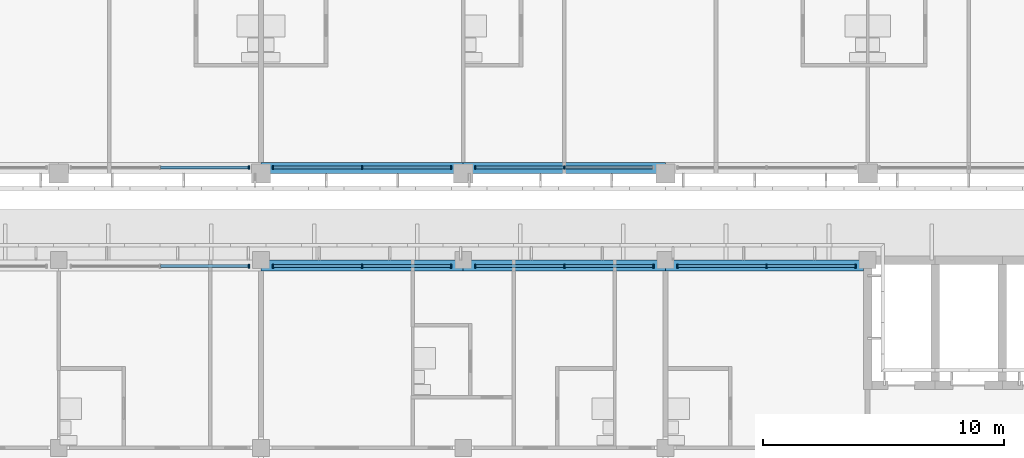
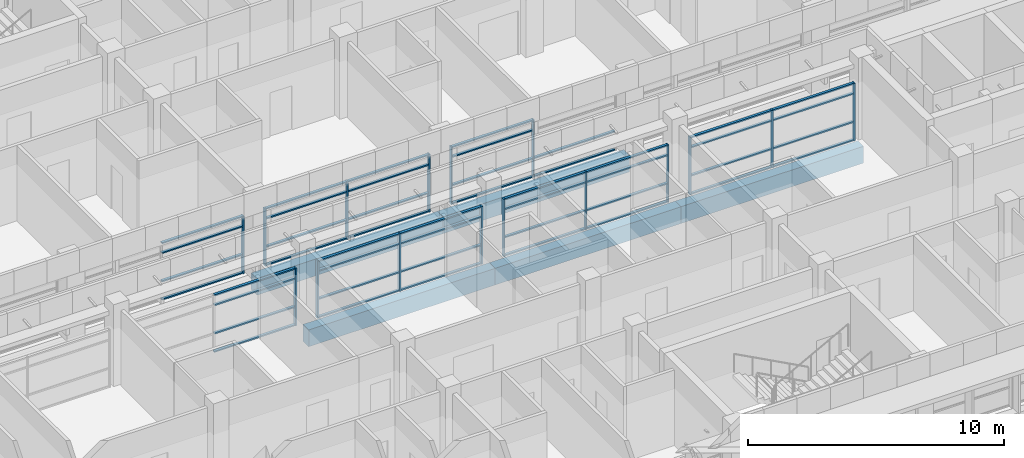
# One storey, part 12 of 71: 62 members, 5 beams, 7 elements without a shape of their own.
"""IFC4 building model written with IfcOpenShell, lengths in metres."""

import ifcopenshell
import ifcopenshell.guid

model = None  # the IFC model being written
_history = None  # IfcOwnerHistory: only IFC2X3 demands one
_inside = {}  # id of a spatial element -> (the spatial element, [elements in it])
_under = {}  # id of a project, library or spatial element -> (it, [spatial elements below it])
_declared = {}  # id of a project -> (the project, [libraries it declares])
_typed = {}  # id of a type object -> (the type object, [elements of that type])
_made_of = {}  # id of a material, layer set ... -> (it, [elements and type objects made of it])


def new_model(schema):
    """Start an empty IFC model of exactly this schema.

    Asked for "IFC4X3", IfcOpenShell would pick the latest addendum, in which some entities
    have other attributes; the version numbers below select the first issue.
    IFC2X3 requires an IfcOwnerHistory on every rooted entity: one is made here for all.
    """
    global model, _history
    if schema == "IFC4X3":
        model = ifcopenshell.file(schema_version=(4, 3, 0, 0))
    else:
        model = ifcopenshell.file(schema=schema)
    _inside.clear()
    _under.clear()
    _declared.clear()
    _typed.clear()
    _made_of.clear()
    _history = None
    if model.schema == "IFC2X3":
        org = make("IfcOrganization", Name="unknown")
        user = make(
            "IfcPersonAndOrganization",
            ThePerson=make("IfcPerson", FamilyName="unknown"),
            TheOrganization=org,
        )
        app = make(
            "IfcApplication",
            ApplicationDeveloper=org,
            Version="unknown",
            ApplicationFullName="unknown",
            ApplicationIdentifier="unknown",
        )
        _history = make(
            "IfcOwnerHistory",
            OwningUser=user,
            OwningApplication=app,
            ChangeAction="ADDED",
            CreationDate=0,
        )
    return model


def make(cls, **values):
    """One entity of the class cls with the attributes given. An attribute that is None is left unset."""
    return model.create_entity(
        cls, **{name: value for name, value in values.items() if value is not None}
    )


def rooted(cls, **values):
    """An entity with a GlobalId (a new one), such as an element, a storey or a relation."""
    return make(cls, GlobalId=ifcopenshell.guid.new(), OwnerHistory=_history, **values)


def si_unit(unit_type, name, prefix=None):
    """IfcSIUnit, for example si_unit("LENGTHUNIT", "METRE", prefix="MILLI")."""
    return make("IfcSIUnit", UnitType=unit_type, Prefix=prefix, Name=name)


def assignment(units):
    """IfcUnitAssignment: the units of a project."""
    return None if units is None else make("IfcUnitAssignment", Units=units)


def point(xyz):
    """IfcCartesianPoint."""
    return None if xyz is None else make("IfcCartesianPoint", Coordinates=xyz)


def direction(xyz):
    """IfcDirection."""
    return None if xyz is None else make("IfcDirection", DirectionRatios=xyz)


def frame(location, z_axis=None, x_axis=None):
    """IfcAxis2Placement3D, a coordinate frame: its origin and axes. An axis left out is left unset."""
    return make(
        "IfcAxis2Placement3D",
        Location=point(location),
        Axis=direction(z_axis),
        RefDirection=direction(x_axis),
    )


def frame_2d(location, x_axis=None):
    """IfcAxis2Placement2D, a coordinate frame in the plane: its origin and x axis."""
    return make(
        "IfcAxis2Placement2D", Location=point(location), RefDirection=direction(x_axis)
    )


def origin():
    """The frame at (0, 0, 0) with its axes left unset."""
    return frame((0.0, 0.0, 0.0))


def origin_2d():
    """The frame at (0, 0) in the plane with its x axis left unset."""
    return frame_2d((0.0, 0.0))


def place(relative_to, where):
    """IfcLocalPlacement: puts the frame where relative to a parent placement (None: the world)."""
    return make(
        "IfcLocalPlacement", PlacementRelTo=relative_to, RelativePlacement=where
    )


def context(
    kind, dimensions, precision=None, world=None, true_north=None, identifier=None
):
    """IfcGeometricRepresentationContext, for example the 3D "Model" context."""
    return make(
        "IfcGeometricRepresentationContext",
        ContextIdentifier=identifier,
        ContextType=kind,
        CoordinateSpaceDimension=dimensions,
        Precision=precision,
        WorldCoordinateSystem=world,
        TrueNorth=true_north,
    )


def subcontext(parent, identifier, kind, view, scale=None):
    """IfcGeometricRepresentationSubContext, for example "Body" below "Model"."""
    return make(
        "IfcGeometricRepresentationSubContext",
        ContextIdentifier=identifier,
        ContextType=kind,
        ParentContext=parent,
        TargetScale=scale,
        TargetView=view,
    )


def project(units=None, contexts=None):
    """IfcProject with its units and contexts."""
    return rooted(
        "IfcProject",
        Name="project",
        RepresentationContexts=contexts,
        UnitsInContext=assignment(units),
    )


def spatial(cls, under=None, at=None, **own):
    """A site, building, storey or space (cls), placed at a placement, below another one or the project."""
    s = rooted(cls, ObjectPlacement=at, **own)
    if under is not None:
        _under.setdefault(under.id(), (under, []))[1].append(s)
    return s


def profile(cls, at=None, kind="AREA", **sizes):
    """A parametric profile (cls). Its sizes go by their IFC names, for example OverallWidth=200.0."""
    return make(cls, ProfileType=kind, Position=at, **sizes)


def rectangle(**sizes):
    """IfcRectangleProfileDef."""
    return profile("IfcRectangleProfileDef", **sizes)


def extrude(swept, where, along, depth):
    """IfcExtrudedAreaSolid: the profile swept, set in the frame where, extruded along a direction by depth."""
    return make(
        "IfcExtrudedAreaSolid",
        SweptArea=swept,
        Position=where,
        ExtrudedDirection=direction(along),
        Depth=depth,
    )


def shape(context_of_items, identifier, shape_type, items):
    """IfcShapeRepresentation: the items that make up one representation, for example the "Body"."""
    return make(
        "IfcShapeRepresentation",
        ContextOfItems=context_of_items,
        RepresentationIdentifier=identifier,
        RepresentationType=shape_type,
        Items=items,
    )


def material(Name=None, Category=None):
    """IfcMaterial."""
    return make("IfcMaterial", Name=Name, Category=Category)


def material_profile(
    of_material, cross_section, Name=None, Category=None, Priority=None
):
    """IfcMaterialProfile: a cross section and its material."""
    return make(
        "IfcMaterialProfile",
        Name=Name,
        Material=of_material,
        Profile=cross_section,
        Priority=Priority,
        Category=Category,
    )


def profile_set(profiles, Name=None, composite=None):
    """IfcMaterialProfileSet."""
    return make(
        "IfcMaterialProfileSet",
        Name=Name,
        MaterialProfiles=profiles,
        CompositeProfile=composite,
    )


def made_of(thing, what):
    """Note that an element or type object is made of a material, layer set ...; save() writes the relation."""
    if what is not None:
        _made_of.setdefault(what.id(), (what, []))[1].append(thing)
    return thing


def type_object(cls, material=None, **own):
    """A type object (cls), such as IfcWallType, which elements share."""
    return made_of(rooted(cls, **own), material)


def element(
    cls,
    number,
    at=None,
    inside=None,
    cuts=None,
    type_object=None,
    material=None,
    context=None,
    identifier="Body",
    shape_type=None,
    held_by="IfcProductDefinitionShape",
    body=None,
    shapes=None,
    **own,
):
    """One element of the class cls, such as IfcWall. Its Tag is "e" and its number.

    at: its placement. inside: the storey or other place that contains it. cuts: it is an
    opening in that element (IfcRelVoidsElement). A single representation is given by context,
    identifier, shape_type and body (its items); several are given by shapes. held_by: the class
    of the entity that holds the representations. save() writes the other relations.
    """
    e = rooted(cls, Tag="e%d" % number, ObjectPlacement=at, **own)
    if body is not None:
        shapes = [shape(context, identifier, shape_type, body)]
    if shapes is not None:
        e.Representation = make(held_by, Representations=shapes)
    if inside is not None:
        _inside.setdefault(inside.id(), (inside, []))[1].append(e)
    if cuts is not None:
        rooted(
            "IfcRelVoidsElement", RelatingBuildingElement=cuts, RelatedOpeningElement=e
        )
    if type_object is not None:
        _typed.setdefault(type_object.id(), (type_object, []))[1].append(e)
    return made_of(e, material)


def aggregate(whole, parts):
    """IfcRelAggregates: a whole, such as a stair, and the parts it consists of."""
    return rooted("IfcRelAggregates", RelatingObject=whole, RelatedObjects=parts)


def save(model, path):
    """Write the relations noted so far, then the file.

    IfcRelAggregates (storeys below a building ...), IfcRelContainedInSpatialStructure (elements
    in a storey), IfcRelDefinesByType, IfcRelAssociatesMaterial and IfcRelDeclares: one each for
    every whole, place, type object, material and project.
    """
    for whole, parts in _under.values():
        aggregate(whole, parts)
    for where, things in _inside.values():
        rooted(
            "IfcRelContainedInSpatialStructure",
            RelatedElements=things,
            RelatingStructure=where,
        )
    for kind, things in _typed.values():
        rooted("IfcRelDefinesByType", RelatedObjects=things, RelatingType=kind)
    for what, things in _made_of.values():
        rooted("IfcRelAssociatesMaterial", RelatedObjects=things, RelatingMaterial=what)
    for by, libraries in _declared.values():
        rooted("IfcRelDeclares", RelatingContext=by, RelatedDefinitions=libraries)
    model.write(path)


model = new_model("IFC4")

# Units and contexts
model_context = context("Model", 3, precision=1e-05, world=origin(), true_north=direction((0.0, 1.0)))
body_context = subcontext(model_context, "Body", "Model", "MODEL_VIEW")
ifc_project = project(units=[si_unit("LENGTHUNIT", "METRE"), si_unit("AREAUNIT", "SQUARE_METRE"), si_unit("VOLUMEUNIT", "CUBIC_METRE"), si_unit("PLANEANGLEUNIT", "RADIAN"), si_unit("MASSUNIT", "GRAM", prefix="KILO")], contexts=[model_context])

# Site, building, storey
site_placement = place(None, origin())
site = spatial("IfcSite", under=ifc_project, at=site_placement, CompositionType="ELEMENT")
building_placement = place(site_placement, origin())
building = spatial("IfcBuilding", under=site, at=building_placement, Name="Bougainvillea Quay General Hospital", CompositionType="ELEMENT")
storey_placement = place(building_placement, frame((0.0, 0.0, 24.89990234375)))
storey = spatial("IfcBuildingStorey", under=building, at=storey_placement, Name="L05", CompositionType="ELEMENT", Elevation=24.89990234375)

# Curtain wall, member
ifc_material_1 = material(Name="Aluminium curtain wall system, powder-coated glazed", Category="aluminium")
curtain_wall_type = type_object("IfcCurtainWallType", Name="Unitised curtain wall CW-3730", PredefinedType="NOTDEFINED", material=ifc_material_1)
curtain_wall_1_placement = place(storey_placement, origin())
curtain_wall_1 = element("IfcCurtainWall", 1, at=curtain_wall_1_placement, inside=storey, type_object=curtain_wall_type, Name="CW-4200 03", PredefinedType="NOTDEFINED")
ifc_material_2 = material(Name="Aluminium mullion, powder-coated charcoal", Category="aluminium")
ifc_material_profile_1 = material_profile(ifc_material_2, rectangle(XDim=0.159912109375, YDim=0.06005859375, at=origin_2d()))
ifc_profile_set_1 = profile_set([ifc_material_profile_1], Name="Aluminium mullion, powder-coated charcoal")
member_type_1 = type_object("IfcMemberType", Name="Curtain wall mullion 160x60", PredefinedType="MULLION", material=ifc_profile_set_1)
member_1_placement = place(storey_placement, frame((108.699951171875, 140.64990234375, 0.0), z_axis=(0.0, 0.0, 1.0), x_axis=(0.0, 1.0, 0.0)))
member_1 = element("IfcMember", 2, at=member_1_placement, type_object=member_type_1, Name="CW-4200 mullion 3", PredefinedType="MULLION", context=body_context, shape_type="SweptSolid", body=[
    extrude(rectangle(XDim=0.159912109375, YDim=0.06005859375, at=origin_2d()), origin(), (0.0, 0.0, 1.0), 2.75),
])

# Curtain wall, members
curtain_wall_2_placement = place(storey_placement, origin())
curtain_wall_2 = element("IfcCurtainWall", 3, at=curtain_wall_2_placement, inside=storey, type_object=curtain_wall_type, Name="CW-4200 04", PredefinedType="NOTDEFINED")
member_2_placement = place(storey_placement, frame((109.699951171875, 140.64990234375, 0.0), z_axis=(0.0, 0.0, 1.0), x_axis=(0.0, 1.0, 0.0)))
member_2 = element("IfcMember", 4, at=member_2_placement, type_object=member_type_1, Name="CW-4200 mullion 1", PredefinedType="MULLION", context=body_context, shape_type="SweptSolid", body=[
    extrude(rectangle(XDim=0.159912109375, YDim=0.06005859375, at=origin_2d()), origin(), (0.0, 0.0, 1.0), 2.75),
])
member_3_placement = place(storey_placement, frame((113.39990234375, 140.64990234375, 0.0), z_axis=(0.0, 0.0, 1.0), x_axis=(0.0, 1.0, 0.0)))
member_3 = element("IfcMember", 5, at=member_3_placement, type_object=member_type_1, Name="CW-4200 mullion 2", PredefinedType="MULLION", context=body_context, shape_type="SweptSolid", body=[
    extrude(rectangle(XDim=0.159912109375, YDim=0.06005859375, at=origin_2d()), origin(), (0.0, 0.0, 1.0), 2.75),
])
member_4_placement = place(storey_placement, frame((117.10009765625, 140.64990234375, 0.0), z_axis=(0.0, 0.0, 1.0), x_axis=(0.0, 1.0, 0.0)))
member_4 = element("IfcMember", 6, at=member_4_placement, type_object=member_type_1, Name="CW-4200 mullion 3", PredefinedType="MULLION", context=body_context, shape_type="SweptSolid", body=[
    extrude(rectangle(XDim=0.159912109375, YDim=0.06005859375, at=origin_2d()), origin(), (0.0, 0.0, 1.0), 2.75),
])

curtain_wall_3_placement = place(storey_placement, origin())
curtain_wall_3 = element("IfcCurtainWall", 7, at=curtain_wall_3_placement, inside=storey, type_object=curtain_wall_type, Name="CW-4200 05", PredefinedType="NOTDEFINED")
member_5_placement = place(storey_placement, frame((118.10009765625, 140.64990234375, 0.0), z_axis=(0.0, 0.0, 1.0), x_axis=(0.0, 1.0, 0.0)))
member_5 = element("IfcMember", 8, at=member_5_placement, type_object=member_type_1, Name="CW-4200 mullion 1", PredefinedType="MULLION", context=body_context, shape_type="SweptSolid", body=[
    extrude(rectangle(XDim=0.159912109375, YDim=0.06005859375, at=origin_2d()), origin(), (0.0, 0.0, 1.0), 2.75),
])
member_6_placement = place(storey_placement, frame((121.800048828125, 140.64990234375, 0.0), z_axis=(0.0, 0.0, 1.0), x_axis=(0.0, 1.0, 0.0)))
member_6 = element("IfcMember", 9, at=member_6_placement, type_object=member_type_1, Name="CW-4200 mullion 2", PredefinedType="MULLION", context=body_context, shape_type="SweptSolid", body=[
    extrude(rectangle(XDim=0.159912109375, YDim=0.06005859375, at=origin_2d()), origin(), (0.0, 0.0, 1.0), 2.75),
])

curtain_wall_4_placement = place(storey_placement, origin())
curtain_wall_4 = element("IfcCurtainWall", 10, at=curtain_wall_4_placement, inside=storey, type_object=curtain_wall_type, Name="CW-4200 00", PredefinedType="NOTDEFINED")
member_7_placement = place(storey_placement, frame((133.89990234375, 136.550048828125, 0.0), z_axis=(0.0, 0.0, 1.0), x_axis=(0.0, -1.0, 0.0)))
member_7 = element("IfcMember", 11, at=member_7_placement, type_object=member_type_1, Name="CW-4200 mullion 1", PredefinedType="MULLION", context=body_context, shape_type="SweptSolid", body=[
    extrude(rectangle(XDim=0.159912109375, YDim=0.06005859375, at=origin_2d()), origin(), (0.0, 0.0, 1.0), 2.75),
])
member_8_placement = place(storey_placement, frame((130.199951171875, 136.550048828125, 0.0), z_axis=(0.0, 0.0, 1.0), x_axis=(0.0, -1.0, 0.0)))
member_8 = element("IfcMember", 12, at=member_8_placement, type_object=member_type_1, Name="CW-4200 mullion 2", PredefinedType="MULLION", context=body_context, shape_type="SweptSolid", body=[
    extrude(rectangle(XDim=0.159912109375, YDim=0.06005859375, at=origin_2d()), origin(), (0.0, 0.0, 1.0), 2.75),
])
member_9_placement = place(storey_placement, frame((126.5, 136.550048828125, 0.0), z_axis=(0.0, 0.0, 1.0), x_axis=(0.0, -1.0, 0.0)))
member_9 = element("IfcMember", 13, at=member_9_placement, type_object=member_type_1, Name="CW-4200 mullion 3", PredefinedType="MULLION", context=body_context, shape_type="SweptSolid", body=[
    extrude(rectangle(XDim=0.159912109375, YDim=0.06005859375, at=origin_2d()), origin(), (0.0, 0.0, 1.0), 2.75),
])

curtain_wall_5_placement = place(storey_placement, origin())
curtain_wall_5 = element("IfcCurtainWall", 14, at=curtain_wall_5_placement, inside=storey, type_object=curtain_wall_type, Name="CW-4200 01", PredefinedType="NOTDEFINED")
member_10_placement = place(storey_placement, frame((125.5, 136.550048828125, 0.0), z_axis=(0.0, 0.0, 1.0), x_axis=(0.0, -1.0, 0.0)))
member_10 = element("IfcMember", 15, at=member_10_placement, type_object=member_type_1, Name="CW-4200 mullion 1", PredefinedType="MULLION", context=body_context, shape_type="SweptSolid", body=[
    extrude(rectangle(XDim=0.159912109375, YDim=0.06005859375, at=origin_2d()), origin(), (0.0, 0.0, 1.0), 2.75),
])
member_11_placement = place(storey_placement, frame((121.800048828125, 136.550048828125, 0.0), z_axis=(0.0, 0.0, 1.0), x_axis=(0.0, -1.0, 0.0)))
member_11 = element("IfcMember", 16, at=member_11_placement, type_object=member_type_1, Name="CW-4200 mullion 2", PredefinedType="MULLION", context=body_context, shape_type="SweptSolid", body=[
    extrude(rectangle(XDim=0.159912109375, YDim=0.06005859375, at=origin_2d()), origin(), (0.0, 0.0, 1.0), 2.75),
])
member_12_placement = place(storey_placement, frame((118.10009765625, 136.550048828125, 0.0), z_axis=(0.0, 0.0, 1.0), x_axis=(0.0, -1.0, 0.0)))
member_12 = element("IfcMember", 17, at=member_12_placement, type_object=member_type_1, Name="CW-4200 mullion 3", PredefinedType="MULLION", context=body_context, shape_type="SweptSolid", body=[
    extrude(rectangle(XDim=0.159912109375, YDim=0.06005859375, at=origin_2d()), origin(), (0.0, 0.0, 1.0), 2.75),
])

curtain_wall_6_placement = place(storey_placement, origin())
curtain_wall_6 = element("IfcCurtainWall", 18, at=curtain_wall_6_placement, inside=storey, type_object=curtain_wall_type, Name="CW-4200 02", PredefinedType="NOTDEFINED")
member_13_placement = place(storey_placement, frame((117.10009765625, 136.550048828125, 0.0), z_axis=(0.0, 0.0, 1.0), x_axis=(0.0, -1.0, 0.0)))
member_13 = element("IfcMember", 19, at=member_13_placement, type_object=member_type_1, Name="CW-4200 mullion 1", PredefinedType="MULLION", context=body_context, shape_type="SweptSolid", body=[
    extrude(rectangle(XDim=0.159912109375, YDim=0.06005859375, at=origin_2d()), origin(), (0.0, 0.0, 1.0), 2.75),
])
member_14_placement = place(storey_placement, frame((113.39990234375, 136.550048828125, 0.0), z_axis=(0.0, 0.0, 1.0), x_axis=(0.0, -1.0, 0.0)))
member_14 = element("IfcMember", 20, at=member_14_placement, type_object=member_type_1, Name="CW-4200 mullion 2", PredefinedType="MULLION", context=body_context, shape_type="SweptSolid", body=[
    extrude(rectangle(XDim=0.159912109375, YDim=0.06005859375, at=origin_2d()), origin(), (0.0, 0.0, 1.0), 2.75),
])
member_15_placement = place(storey_placement, frame((109.699951171875, 136.550048828125, 0.0), z_axis=(0.0, 0.0, 1.0), x_axis=(0.0, -1.0, 0.0)))
member_15 = element("IfcMember", 21, at=member_15_placement, type_object=member_type_1, Name="CW-4200 mullion 3", PredefinedType="MULLION", context=body_context, shape_type="SweptSolid", body=[
    extrude(rectangle(XDim=0.159912109375, YDim=0.06005859375, at=origin_2d()), origin(), (0.0, 0.0, 1.0), 2.75),
])

# Curtain wall, member
curtain_wall_7_placement = place(storey_placement, origin())
curtain_wall_7 = element("IfcCurtainWall", 22, at=curtain_wall_7_placement, inside=storey, type_object=curtain_wall_type, Name="CW-4200 03", PredefinedType="NOTDEFINED")
member_16_placement = place(storey_placement, frame((108.699951171875, 136.550048828125, 0.0), z_axis=(0.0, 0.0, 1.0), x_axis=(0.0, -1.0, 0.0)))
member_16 = element("IfcMember", 23, at=member_16_placement, type_object=member_type_1, Name="CW-4200 mullion 1", PredefinedType="MULLION", context=body_context, shape_type="SweptSolid", body=[
    extrude(rectangle(XDim=0.159912109375, YDim=0.06005859375, at=origin_2d()), origin(), (0.0, 0.0, 1.0), 2.75),
])

# Member
ifc_material_3 = material(Name="Aluminium transom, powder-coated charcoal", Category="aluminium")
ifc_material_profile_2 = material_profile(ifc_material_3, rectangle(XDim=0.1201171875, YDim=0.06005859375, at=origin_2d()))
ifc_profile_set_2 = profile_set([ifc_material_profile_2], Name="Aluminium transom, powder-coated charcoal")
member_type_2 = type_object("IfcMemberType", Name="Curtain wall transom 120x60", PredefinedType="USERDEFINED", material=ifc_profile_set_2)
member_17_placement = place(storey_placement, frame((105.030029296875, 140.64990234375, 0.030029296875), z_axis=(1.0, 0.0, 0.0), x_axis=(0.0, 1.0, 0.0)))
member_17 = element("IfcMember", 24, at=member_17_placement, type_object=member_type_2, Name="CW-4200 transom 2.1", ObjectType="TRANSOM", PredefinedType="USERDEFINED", context=body_context, shape_type="SweptSolid", body=[
    extrude(rectangle(XDim=0.1201171875, YDim=0.06005859375, at=origin_2d()), origin(), (0.0, 0.0, 1.0), 3.639892578125),
])

member_18_placement = place(storey_placement, frame((105.030029296875, 140.64990234375, 0.900146484375), z_axis=(1.0, 0.0, 0.0), x_axis=(0.0, 1.0, 0.0)))
member_18 = element("IfcMember", 25, at=member_18_placement, type_object=member_type_2, Name="CW-4200 transom 2.2", ObjectType="TRANSOM", PredefinedType="USERDEFINED", context=body_context, shape_type="SweptSolid", body=[
    extrude(rectangle(XDim=0.1201171875, YDim=0.06005859375, at=origin_2d()), origin(), (0.0, 0.0, 1.0), 3.639892578125),
])

member_19_placement = place(storey_placement, frame((105.030029296875, 140.64990234375, 2.25), z_axis=(1.0, 0.0, 0.0), x_axis=(0.0, 1.0, 0.0)))
member_19 = element("IfcMember", 26, at=member_19_placement, type_object=member_type_2, Name="CW-4200 transom 2.3", ObjectType="TRANSOM", PredefinedType="USERDEFINED", context=body_context, shape_type="SweptSolid", body=[
    extrude(rectangle(XDim=0.1201171875, YDim=0.06005859375, at=origin_2d()), origin(), (0.0, 0.0, 1.0), 3.639892578125),
])

member_20_placement = place(storey_placement, frame((105.030029296875, 140.64990234375, 2.72021484375), z_axis=(1.0, 0.0, 0.0), x_axis=(0.0, 1.0, 0.0)))
member_20 = element("IfcMember", 27, at=member_20_placement, type_object=member_type_2, Name="CW-4200 transom 2.4", ObjectType="TRANSOM", PredefinedType="USERDEFINED", context=body_context, shape_type="SweptSolid", body=[
    extrude(rectangle(XDim=0.1201171875, YDim=0.06005859375, at=origin_2d()), origin(), (0.0, 0.0, 1.0), 3.639892578125),
])

aggregate(curtain_wall_1, [member_1, member_17, member_18, member_19, member_20])

member_21_placement = place(storey_placement, frame((109.72998046875, 140.64990234375, 0.030029296875), z_axis=(1.0, 0.0, 0.0), x_axis=(0.0, 1.0, 0.0)))
member_21 = element("IfcMember", 28, at=member_21_placement, type_object=member_type_2, Name="CW-4200 transom 1.1", ObjectType="TRANSOM", PredefinedType="USERDEFINED", context=body_context, shape_type="SweptSolid", body=[
    extrude(rectangle(XDim=0.1201171875, YDim=0.06005859375, at=origin_2d()), origin(), (0.0, 0.0, 1.0), 3.64013671875),
])

member_22_placement = place(storey_placement, frame((109.72998046875, 140.64990234375, 0.900146484375), z_axis=(1.0, 0.0, 0.0), x_axis=(0.0, 1.0, 0.0)))
member_22 = element("IfcMember", 29, at=member_22_placement, type_object=member_type_2, Name="CW-4200 transom 1.2", ObjectType="TRANSOM", PredefinedType="USERDEFINED", context=body_context, shape_type="SweptSolid", body=[
    extrude(rectangle(XDim=0.1201171875, YDim=0.06005859375, at=origin_2d()), origin(), (0.0, 0.0, 1.0), 3.64013671875),
])

member_23_placement = place(storey_placement, frame((109.72998046875, 140.64990234375, 2.25), z_axis=(1.0, 0.0, 0.0), x_axis=(0.0, 1.0, 0.0)))
member_23 = element("IfcMember", 30, at=member_23_placement, type_object=member_type_2, Name="CW-4200 transom 1.3", ObjectType="TRANSOM", PredefinedType="USERDEFINED", context=body_context, shape_type="SweptSolid", body=[
    extrude(rectangle(XDim=0.1201171875, YDim=0.06005859375, at=origin_2d()), origin(), (0.0, 0.0, 1.0), 3.64013671875),
])

member_24_placement = place(storey_placement, frame((109.72998046875, 140.64990234375, 2.72021484375), z_axis=(1.0, 0.0, 0.0), x_axis=(0.0, 1.0, 0.0)))
member_24 = element("IfcMember", 31, at=member_24_placement, type_object=member_type_2, Name="CW-4200 transom 1.4", ObjectType="TRANSOM", PredefinedType="USERDEFINED", context=body_context, shape_type="SweptSolid", body=[
    extrude(rectangle(XDim=0.1201171875, YDim=0.06005859375, at=origin_2d()), origin(), (0.0, 0.0, 1.0), 3.64013671875),
])

member_25_placement = place(storey_placement, frame((113.429931640625, 140.64990234375, 0.030029296875), z_axis=(1.0, 0.0, 0.0), x_axis=(0.0, 1.0, 0.0)))
member_25 = element("IfcMember", 32, at=member_25_placement, type_object=member_type_2, Name="CW-4200 transom 2.1", ObjectType="TRANSOM", PredefinedType="USERDEFINED", context=body_context, shape_type="SweptSolid", body=[
    extrude(rectangle(XDim=0.1201171875, YDim=0.06005859375, at=origin_2d()), origin(), (0.0, 0.0, 1.0), 3.64013671875),
])

member_26_placement = place(storey_placement, frame((113.429931640625, 140.64990234375, 0.900146484375), z_axis=(1.0, 0.0, 0.0), x_axis=(0.0, 1.0, 0.0)))
member_26 = element("IfcMember", 33, at=member_26_placement, type_object=member_type_2, Name="CW-4200 transom 2.2", ObjectType="TRANSOM", PredefinedType="USERDEFINED", context=body_context, shape_type="SweptSolid", body=[
    extrude(rectangle(XDim=0.1201171875, YDim=0.06005859375, at=origin_2d()), origin(), (0.0, 0.0, 1.0), 3.64013671875),
])

member_27_placement = place(storey_placement, frame((113.429931640625, 140.64990234375, 2.25), z_axis=(1.0, 0.0, 0.0), x_axis=(0.0, 1.0, 0.0)))
member_27 = element("IfcMember", 34, at=member_27_placement, type_object=member_type_2, Name="CW-4200 transom 2.3", ObjectType="TRANSOM", PredefinedType="USERDEFINED", context=body_context, shape_type="SweptSolid", body=[
    extrude(rectangle(XDim=0.1201171875, YDim=0.06005859375, at=origin_2d()), origin(), (0.0, 0.0, 1.0), 3.64013671875),
])

member_28_placement = place(storey_placement, frame((113.429931640625, 140.64990234375, 2.72021484375), z_axis=(1.0, 0.0, 0.0), x_axis=(0.0, 1.0, 0.0)))
member_28 = element("IfcMember", 35, at=member_28_placement, type_object=member_type_2, Name="CW-4200 transom 2.4", ObjectType="TRANSOM", PredefinedType="USERDEFINED", context=body_context, shape_type="SweptSolid", body=[
    extrude(rectangle(XDim=0.1201171875, YDim=0.06005859375, at=origin_2d()), origin(), (0.0, 0.0, 1.0), 3.64013671875),
])

aggregate(curtain_wall_2, [member_2, member_3, member_4, member_21, member_22, member_23, member_24, member_25, member_26, member_27, member_28])

member_29_placement = place(storey_placement, frame((118.1298828125, 140.64990234375, 0.030029296875), z_axis=(1.0, 0.0, 0.0), x_axis=(0.0, 1.0, 0.0)))
member_29 = element("IfcMember", 36, at=member_29_placement, type_object=member_type_2, Name="CW-4200 transom 1.1", ObjectType="TRANSOM", PredefinedType="USERDEFINED", context=body_context, shape_type="SweptSolid", body=[
    extrude(rectangle(XDim=0.1201171875, YDim=0.06005859375, at=origin_2d()), origin(), (0.0, 0.0, 1.0), 3.64013671875),
])

member_30_placement = place(storey_placement, frame((118.1298828125, 140.64990234375, 0.900146484375), z_axis=(1.0, 0.0, 0.0), x_axis=(0.0, 1.0, 0.0)))
member_30 = element("IfcMember", 37, at=member_30_placement, type_object=member_type_2, Name="CW-4200 transom 1.2", ObjectType="TRANSOM", PredefinedType="USERDEFINED", context=body_context, shape_type="SweptSolid", body=[
    extrude(rectangle(XDim=0.1201171875, YDim=0.06005859375, at=origin_2d()), origin(), (0.0, 0.0, 1.0), 3.64013671875),
])

member_31_placement = place(storey_placement, frame((118.1298828125, 140.64990234375, 2.25), z_axis=(1.0, 0.0, 0.0), x_axis=(0.0, 1.0, 0.0)))
member_31 = element("IfcMember", 38, at=member_31_placement, type_object=member_type_2, Name="CW-4200 transom 1.3", ObjectType="TRANSOM", PredefinedType="USERDEFINED", context=body_context, shape_type="SweptSolid", body=[
    extrude(rectangle(XDim=0.1201171875, YDim=0.06005859375, at=origin_2d()), origin(), (0.0, 0.0, 1.0), 3.64013671875),
])

member_32_placement = place(storey_placement, frame((118.1298828125, 140.64990234375, 2.72021484375), z_axis=(1.0, 0.0, 0.0), x_axis=(0.0, 1.0, 0.0)))
member_32 = element("IfcMember", 39, at=member_32_placement, type_object=member_type_2, Name="CW-4200 transom 1.4", ObjectType="TRANSOM", PredefinedType="USERDEFINED", context=body_context, shape_type="SweptSolid", body=[
    extrude(rectangle(XDim=0.1201171875, YDim=0.06005859375, at=origin_2d()), origin(), (0.0, 0.0, 1.0), 3.64013671875),
])

member_33_placement = place(storey_placement, frame((121.830078125, 140.64990234375, 0.030029296875), z_axis=(1.0, 0.0, 0.0), x_axis=(0.0, 1.0, 0.0)))
member_33 = element("IfcMember", 40, at=member_33_placement, type_object=member_type_2, Name="CW-4200 transom 2.1", ObjectType="TRANSOM", PredefinedType="USERDEFINED", context=body_context, shape_type="SweptSolid", body=[
    extrude(rectangle(XDim=0.1201171875, YDim=0.06005859375, at=origin_2d()), origin(), (0.0, 0.0, 1.0), 3.639892578125),
])

member_34_placement = place(storey_placement, frame((121.830078125, 140.64990234375, 0.900146484375), z_axis=(1.0, 0.0, 0.0), x_axis=(0.0, 1.0, 0.0)))
member_34 = element("IfcMember", 41, at=member_34_placement, type_object=member_type_2, Name="CW-4200 transom 2.2", ObjectType="TRANSOM", PredefinedType="USERDEFINED", context=body_context, shape_type="SweptSolid", body=[
    extrude(rectangle(XDim=0.1201171875, YDim=0.06005859375, at=origin_2d()), origin(), (0.0, 0.0, 1.0), 3.639892578125),
])

aggregate(curtain_wall_3, [member_5, member_6, member_29, member_30, member_31, member_32, member_33, member_34])

member_35_placement = place(storey_placement, frame((133.8701171875, 136.550048828125, 0.030029296875), z_axis=(-1.0, 0.0, 0.0), x_axis=(0.0, -1.0, 0.0)))
member_35 = element("IfcMember", 42, at=member_35_placement, type_object=member_type_2, Name="CW-4200 transom 1.1", ObjectType="TRANSOM", PredefinedType="USERDEFINED", context=body_context, shape_type="SweptSolid", body=[
    extrude(rectangle(XDim=0.1201171875, YDim=0.06005859375, at=origin_2d()), origin(), (0.0, 0.0, 1.0), 3.64013671875),
])

member_36_placement = place(storey_placement, frame((133.8701171875, 136.550048828125, 0.900146484375), z_axis=(-1.0, 0.0, 0.0), x_axis=(0.0, -1.0, 0.0)))
member_36 = element("IfcMember", 43, at=member_36_placement, type_object=member_type_2, Name="CW-4200 transom 1.2", ObjectType="TRANSOM", PredefinedType="USERDEFINED", context=body_context, shape_type="SweptSolid", body=[
    extrude(rectangle(XDim=0.1201171875, YDim=0.06005859375, at=origin_2d()), origin(), (0.0, 0.0, 1.0), 3.64013671875),
])

member_37_placement = place(storey_placement, frame((133.8701171875, 136.550048828125, 2.25), z_axis=(-1.0, 0.0, 0.0), x_axis=(0.0, -1.0, 0.0)))
member_37 = element("IfcMember", 44, at=member_37_placement, type_object=member_type_2, Name="CW-4200 transom 1.3", ObjectType="TRANSOM", PredefinedType="USERDEFINED", context=body_context, shape_type="SweptSolid", body=[
    extrude(rectangle(XDim=0.1201171875, YDim=0.06005859375, at=origin_2d()), origin(), (0.0, 0.0, 1.0), 3.64013671875),
])

member_38_placement = place(storey_placement, frame((133.8701171875, 136.550048828125, 2.72021484375), z_axis=(-1.0, 0.0, 0.0), x_axis=(0.0, -1.0, 0.0)))
member_38 = element("IfcMember", 45, at=member_38_placement, type_object=member_type_2, Name="CW-4200 transom 1.4", ObjectType="TRANSOM", PredefinedType="USERDEFINED", context=body_context, shape_type="SweptSolid", body=[
    extrude(rectangle(XDim=0.1201171875, YDim=0.06005859375, at=origin_2d()), origin(), (0.0, 0.0, 1.0), 3.64013671875),
])

member_39_placement = place(storey_placement, frame((130.169921875, 136.550048828125, 0.030029296875), z_axis=(-1.0, 0.0, 0.0), x_axis=(0.0, -1.0, 0.0)))
member_39 = element("IfcMember", 46, at=member_39_placement, type_object=member_type_2, Name="CW-4200 transom 2.1", ObjectType="TRANSOM", PredefinedType="USERDEFINED", context=body_context, shape_type="SweptSolid", body=[
    extrude(rectangle(XDim=0.1201171875, YDim=0.06005859375, at=origin_2d()), origin(), (0.0, 0.0, 1.0), 3.639892578125),
])

member_40_placement = place(storey_placement, frame((130.169921875, 136.550048828125, 0.900146484375), z_axis=(-1.0, 0.0, 0.0), x_axis=(0.0, -1.0, 0.0)))
member_40 = element("IfcMember", 47, at=member_40_placement, type_object=member_type_2, Name="CW-4200 transom 2.2", ObjectType="TRANSOM", PredefinedType="USERDEFINED", context=body_context, shape_type="SweptSolid", body=[
    extrude(rectangle(XDim=0.1201171875, YDim=0.06005859375, at=origin_2d()), origin(), (0.0, 0.0, 1.0), 3.639892578125),
])

member_41_placement = place(storey_placement, frame((130.169921875, 136.550048828125, 2.25), z_axis=(-1.0, 0.0, 0.0), x_axis=(0.0, -1.0, 0.0)))
member_41 = element("IfcMember", 48, at=member_41_placement, type_object=member_type_2, Name="CW-4200 transom 2.3", ObjectType="TRANSOM", PredefinedType="USERDEFINED", context=body_context, shape_type="SweptSolid", body=[
    extrude(rectangle(XDim=0.1201171875, YDim=0.06005859375, at=origin_2d()), origin(), (0.0, 0.0, 1.0), 3.639892578125),
])

member_42_placement = place(storey_placement, frame((130.169921875, 136.550048828125, 2.72021484375), z_axis=(-1.0, 0.0, 0.0), x_axis=(0.0, -1.0, 0.0)))
member_42 = element("IfcMember", 49, at=member_42_placement, type_object=member_type_2, Name="CW-4200 transom 2.4", ObjectType="TRANSOM", PredefinedType="USERDEFINED", context=body_context, shape_type="SweptSolid", body=[
    extrude(rectangle(XDim=0.1201171875, YDim=0.06005859375, at=origin_2d()), origin(), (0.0, 0.0, 1.0), 3.639892578125),
])

aggregate(curtain_wall_4, [member_7, member_8, member_9, member_35, member_36, member_37, member_38, member_39, member_40, member_41, member_42])

member_43_placement = place(storey_placement, frame((125.469970703125, 136.550048828125, 0.030029296875), z_axis=(-1.0, 0.0, 0.0), x_axis=(0.0, -1.0, 0.0)))
member_43 = element("IfcMember", 50, at=member_43_placement, type_object=member_type_2, Name="CW-4200 transom 1.1", ObjectType="TRANSOM", PredefinedType="USERDEFINED", context=body_context, shape_type="SweptSolid", body=[
    extrude(rectangle(XDim=0.1201171875, YDim=0.06005859375, at=origin_2d()), origin(), (0.0, 0.0, 1.0), 3.639892578125),
])

member_44_placement = place(storey_placement, frame((125.469970703125, 136.550048828125, 0.900146484375), z_axis=(-1.0, 0.0, 0.0), x_axis=(0.0, -1.0, 0.0)))
member_44 = element("IfcMember", 51, at=member_44_placement, type_object=member_type_2, Name="CW-4200 transom 1.2", ObjectType="TRANSOM", PredefinedType="USERDEFINED", context=body_context, shape_type="SweptSolid", body=[
    extrude(rectangle(XDim=0.1201171875, YDim=0.06005859375, at=origin_2d()), origin(), (0.0, 0.0, 1.0), 3.639892578125),
])

member_45_placement = place(storey_placement, frame((125.469970703125, 136.550048828125, 2.25), z_axis=(-1.0, 0.0, 0.0), x_axis=(0.0, -1.0, 0.0)))
member_45 = element("IfcMember", 52, at=member_45_placement, type_object=member_type_2, Name="CW-4200 transom 1.3", ObjectType="TRANSOM", PredefinedType="USERDEFINED", context=body_context, shape_type="SweptSolid", body=[
    extrude(rectangle(XDim=0.1201171875, YDim=0.06005859375, at=origin_2d()), origin(), (0.0, 0.0, 1.0), 3.639892578125),
])

member_46_placement = place(storey_placement, frame((125.469970703125, 136.550048828125, 2.72021484375), z_axis=(-1.0, 0.0, 0.0), x_axis=(0.0, -1.0, 0.0)))
member_46 = element("IfcMember", 53, at=member_46_placement, type_object=member_type_2, Name="CW-4200 transom 1.4", ObjectType="TRANSOM", PredefinedType="USERDEFINED", context=body_context, shape_type="SweptSolid", body=[
    extrude(rectangle(XDim=0.1201171875, YDim=0.06005859375, at=origin_2d()), origin(), (0.0, 0.0, 1.0), 3.639892578125),
])

member_47_placement = place(storey_placement, frame((121.77001953125, 136.550048828125, 0.030029296875), z_axis=(-1.0, 0.0, 0.0), x_axis=(0.0, -1.0, 0.0)))
member_47 = element("IfcMember", 54, at=member_47_placement, type_object=member_type_2, Name="CW-4200 transom 2.1", ObjectType="TRANSOM", PredefinedType="USERDEFINED", context=body_context, shape_type="SweptSolid", body=[
    extrude(rectangle(XDim=0.1201171875, YDim=0.06005859375, at=origin_2d()), origin(), (0.0, 0.0, 1.0), 3.64013671875),
])

member_48_placement = place(storey_placement, frame((121.77001953125, 136.550048828125, 0.900146484375), z_axis=(-1.0, 0.0, 0.0), x_axis=(0.0, -1.0, 0.0)))
member_48 = element("IfcMember", 55, at=member_48_placement, type_object=member_type_2, Name="CW-4200 transom 2.2", ObjectType="TRANSOM", PredefinedType="USERDEFINED", context=body_context, shape_type="SweptSolid", body=[
    extrude(rectangle(XDim=0.1201171875, YDim=0.06005859375, at=origin_2d()), origin(), (0.0, 0.0, 1.0), 3.64013671875),
])

member_49_placement = place(storey_placement, frame((121.77001953125, 136.550048828125, 2.25), z_axis=(-1.0, 0.0, 0.0), x_axis=(0.0, -1.0, 0.0)))
member_49 = element("IfcMember", 56, at=member_49_placement, type_object=member_type_2, Name="CW-4200 transom 2.3", ObjectType="TRANSOM", PredefinedType="USERDEFINED", context=body_context, shape_type="SweptSolid", body=[
    extrude(rectangle(XDim=0.1201171875, YDim=0.06005859375, at=origin_2d()), origin(), (0.0, 0.0, 1.0), 3.64013671875),
])

member_50_placement = place(storey_placement, frame((121.77001953125, 136.550048828125, 2.72021484375), z_axis=(-1.0, 0.0, 0.0), x_axis=(0.0, -1.0, 0.0)))
member_50 = element("IfcMember", 57, at=member_50_placement, type_object=member_type_2, Name="CW-4200 transom 2.4", ObjectType="TRANSOM", PredefinedType="USERDEFINED", context=body_context, shape_type="SweptSolid", body=[
    extrude(rectangle(XDim=0.1201171875, YDim=0.06005859375, at=origin_2d()), origin(), (0.0, 0.0, 1.0), 3.64013671875),
])

aggregate(curtain_wall_5, [member_10, member_11, member_12, member_43, member_44, member_45, member_46, member_47, member_48, member_49, member_50])

member_51_placement = place(storey_placement, frame((117.070068359375, 136.550048828125, 0.030029296875), z_axis=(-1.0, 0.0, 0.0), x_axis=(0.0, -1.0, 0.0)))
member_51 = element("IfcMember", 58, at=member_51_placement, type_object=member_type_2, Name="CW-4200 transom 1.1", ObjectType="TRANSOM", PredefinedType="USERDEFINED", context=body_context, shape_type="SweptSolid", body=[
    extrude(rectangle(XDim=0.1201171875, YDim=0.06005859375, at=origin_2d()), origin(), (0.0, 0.0, 1.0), 3.64013671875),
])

member_52_placement = place(storey_placement, frame((117.070068359375, 136.550048828125, 0.900146484375), z_axis=(-1.0, 0.0, 0.0), x_axis=(0.0, -1.0, 0.0)))
member_52 = element("IfcMember", 59, at=member_52_placement, type_object=member_type_2, Name="CW-4200 transom 1.2", ObjectType="TRANSOM", PredefinedType="USERDEFINED", context=body_context, shape_type="SweptSolid", body=[
    extrude(rectangle(XDim=0.1201171875, YDim=0.06005859375, at=origin_2d()), origin(), (0.0, 0.0, 1.0), 3.64013671875),
])

member_53_placement = place(storey_placement, frame((117.070068359375, 136.550048828125, 2.25), z_axis=(-1.0, 0.0, 0.0), x_axis=(0.0, -1.0, 0.0)))
member_53 = element("IfcMember", 60, at=member_53_placement, type_object=member_type_2, Name="CW-4200 transom 1.3", ObjectType="TRANSOM", PredefinedType="USERDEFINED", context=body_context, shape_type="SweptSolid", body=[
    extrude(rectangle(XDim=0.1201171875, YDim=0.06005859375, at=origin_2d()), origin(), (0.0, 0.0, 1.0), 3.64013671875),
])

member_54_placement = place(storey_placement, frame((117.070068359375, 136.550048828125, 2.72021484375), z_axis=(-1.0, 0.0, 0.0), x_axis=(0.0, -1.0, 0.0)))
member_54 = element("IfcMember", 61, at=member_54_placement, type_object=member_type_2, Name="CW-4200 transom 1.4", ObjectType="TRANSOM", PredefinedType="USERDEFINED", context=body_context, shape_type="SweptSolid", body=[
    extrude(rectangle(XDim=0.1201171875, YDim=0.06005859375, at=origin_2d()), origin(), (0.0, 0.0, 1.0), 3.64013671875),
])

member_55_placement = place(storey_placement, frame((113.3701171875, 136.550048828125, 0.030029296875), z_axis=(-1.0, 0.0, 0.0), x_axis=(0.0, -1.0, 0.0)))
member_55 = element("IfcMember", 62, at=member_55_placement, type_object=member_type_2, Name="CW-4200 transom 2.1", ObjectType="TRANSOM", PredefinedType="USERDEFINED", context=body_context, shape_type="SweptSolid", body=[
    extrude(rectangle(XDim=0.1201171875, YDim=0.06005859375, at=origin_2d()), origin(), (0.0, 0.0, 1.0), 3.64013671875),
])

member_56_placement = place(storey_placement, frame((113.3701171875, 136.550048828125, 0.900146484375), z_axis=(-1.0, 0.0, 0.0), x_axis=(0.0, -1.0, 0.0)))
member_56 = element("IfcMember", 63, at=member_56_placement, type_object=member_type_2, Name="CW-4200 transom 2.2", ObjectType="TRANSOM", PredefinedType="USERDEFINED", context=body_context, shape_type="SweptSolid", body=[
    extrude(rectangle(XDim=0.1201171875, YDim=0.06005859375, at=origin_2d()), origin(), (0.0, 0.0, 1.0), 3.64013671875),
])

member_57_placement = place(storey_placement, frame((113.3701171875, 136.550048828125, 2.25), z_axis=(-1.0, 0.0, 0.0), x_axis=(0.0, -1.0, 0.0)))
member_57 = element("IfcMember", 64, at=member_57_placement, type_object=member_type_2, Name="CW-4200 transom 2.3", ObjectType="TRANSOM", PredefinedType="USERDEFINED", context=body_context, shape_type="SweptSolid", body=[
    extrude(rectangle(XDim=0.1201171875, YDim=0.06005859375, at=origin_2d()), origin(), (0.0, 0.0, 1.0), 3.64013671875),
])

member_58_placement = place(storey_placement, frame((113.3701171875, 136.550048828125, 2.72021484375), z_axis=(-1.0, 0.0, 0.0), x_axis=(0.0, -1.0, 0.0)))
member_58 = element("IfcMember", 65, at=member_58_placement, type_object=member_type_2, Name="CW-4200 transom 2.4", ObjectType="TRANSOM", PredefinedType="USERDEFINED", context=body_context, shape_type="SweptSolid", body=[
    extrude(rectangle(XDim=0.1201171875, YDim=0.06005859375, at=origin_2d()), origin(), (0.0, 0.0, 1.0), 3.64013671875),
])

aggregate(curtain_wall_6, [member_13, member_14, member_15, member_51, member_52, member_53, member_54, member_55, member_56, member_57, member_58])

member_59_placement = place(storey_placement, frame((108.669921875, 136.550048828125, 0.030029296875), z_axis=(-1.0, 0.0, 0.0), x_axis=(0.0, -1.0, 0.0)))
member_59 = element("IfcMember", 66, at=member_59_placement, type_object=member_type_2, Name="CW-4200 transom 1.1", ObjectType="TRANSOM", PredefinedType="USERDEFINED", context=body_context, shape_type="SweptSolid", body=[
    extrude(rectangle(XDim=0.1201171875, YDim=0.06005859375, at=origin_2d()), origin(), (0.0, 0.0, 1.0), 3.639892578125),
])

member_60_placement = place(storey_placement, frame((108.669921875, 136.550048828125, 0.900146484375), z_axis=(-1.0, 0.0, 0.0), x_axis=(0.0, -1.0, 0.0)))
member_60 = element("IfcMember", 67, at=member_60_placement, type_object=member_type_2, Name="CW-4200 transom 1.2", ObjectType="TRANSOM", PredefinedType="USERDEFINED", context=body_context, shape_type="SweptSolid", body=[
    extrude(rectangle(XDim=0.1201171875, YDim=0.06005859375, at=origin_2d()), origin(), (0.0, 0.0, 1.0), 3.639892578125),
])

member_61_placement = place(storey_placement, frame((108.669921875, 136.550048828125, 2.25), z_axis=(-1.0, 0.0, 0.0), x_axis=(0.0, -1.0, 0.0)))
member_61 = element("IfcMember", 68, at=member_61_placement, type_object=member_type_2, Name="CW-4200 transom 1.3", ObjectType="TRANSOM", PredefinedType="USERDEFINED", context=body_context, shape_type="SweptSolid", body=[
    extrude(rectangle(XDim=0.1201171875, YDim=0.06005859375, at=origin_2d()), origin(), (0.0, 0.0, 1.0), 3.639892578125),
])

member_62_placement = place(storey_placement, frame((108.669921875, 136.550048828125, 2.72021484375), z_axis=(-1.0, 0.0, 0.0), x_axis=(0.0, -1.0, 0.0)))
member_62 = element("IfcMember", 69, at=member_62_placement, type_object=member_type_2, Name="CW-4200 transom 1.4", ObjectType="TRANSOM", PredefinedType="USERDEFINED", context=body_context, shape_type="SweptSolid", body=[
    extrude(rectangle(XDim=0.1201171875, YDim=0.06005859375, at=origin_2d()), origin(), (0.0, 0.0, 1.0), 3.639892578125),
])

aggregate(curtain_wall_7, [member_16, member_59, member_60, member_61, member_62])

# Beams
ifc_material_4 = material(Name="Concrete C40", Category="concrete")
ifc_material_profile_3 = material_profile(ifc_material_4, rectangle(XDim=0.449951171875, YDim=0.800048828125, at=origin_2d()))
ifc_profile_set_3 = profile_set([ifc_material_profile_3], Name="Concrete C40")
beam_type = type_object("IfcBeamType", Name="RC BEAM 450x800 C40", PredefinedType="BEAM", material=ifc_profile_set_3)
beam_1_placement = place(storey_placement, frame((109.199951171875, 140.625, -0.699951171875), z_axis=(1.0, 0.0, 0.0), x_axis=(0.0, 1.0, 0.0)))
element("IfcBeam", 70, at=beam_1_placement, inside=storey, type_object=beam_type, Name="Edge beam L05", PredefinedType="BEAM", context=body_context, shape_type="SweptSolid", body=[
    extrude(rectangle(XDim=0.449951171875, YDim=0.800048828125, at=origin_2d()), origin(), (0.0, 0.0, 1.0), 8.400146484375),
])
beam_2_placement = place(storey_placement, frame((117.60009765625, 140.625, -0.699951171875), z_axis=(1.0, 0.0, 0.0), x_axis=(0.0, 1.0, 0.0)))
element("IfcBeam", 71, at=beam_2_placement, inside=storey, type_object=beam_type, Name="Edge beam L05", PredefinedType="BEAM", context=body_context, shape_type="SweptSolid", body=[
    extrude(rectangle(XDim=0.449951171875, YDim=0.800048828125, at=origin_2d()), origin(), (0.0, 0.0, 1.0), 8.39990234375),
])
beam_3_placement = place(storey_placement, frame((134.22509765625, 136.574951171875, -0.699951171875), z_axis=(-1.0, 0.0, 0.0), x_axis=(0.0, -1.0, 0.0)))
element("IfcBeam", 72, at=beam_3_placement, inside=storey, type_object=beam_type, Name="Edge beam L05", PredefinedType="BEAM", context=body_context, shape_type="SweptSolid", body=[
    extrude(rectangle(XDim=0.449951171875, YDim=0.800048828125, at=origin_2d()), origin(), (0.0, 0.0, 1.0), 8.22509765625),
])
beam_4_placement = place(storey_placement, frame((126.0, 136.574951171875, -0.699951171875), z_axis=(-1.0, 0.0, 0.0), x_axis=(0.0, -1.0, 0.0)))
element("IfcBeam", 73, at=beam_4_placement, inside=storey, type_object=beam_type, Name="Edge beam L05", PredefinedType="BEAM", context=body_context, shape_type="SweptSolid", body=[
    extrude(rectangle(XDim=0.449951171875, YDim=0.800048828125, at=origin_2d()), origin(), (0.0, 0.0, 1.0), 8.39990234375),
])
beam_5_placement = place(storey_placement, frame((117.60009765625, 136.574951171875, -0.699951171875), z_axis=(-1.0, 0.0, 0.0), x_axis=(0.0, -1.0, 0.0)))
element("IfcBeam", 74, at=beam_5_placement, inside=storey, type_object=beam_type, Name="Edge beam L05", PredefinedType="BEAM", context=body_context, shape_type="SweptSolid", body=[
    extrude(rectangle(XDim=0.449951171875, YDim=0.800048828125, at=origin_2d()), origin(), (0.0, 0.0, 1.0), 8.400146484375),
])

save(model, "model.ifc")
